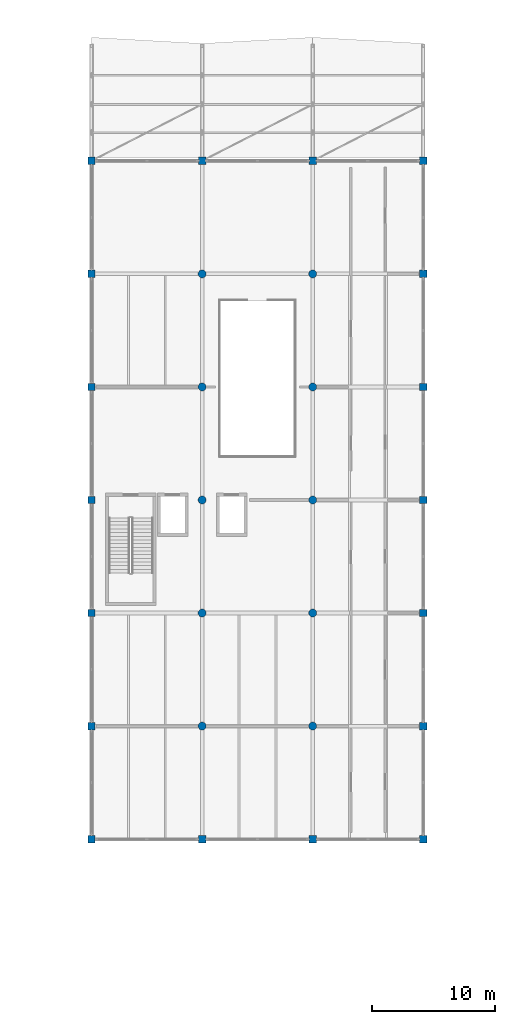
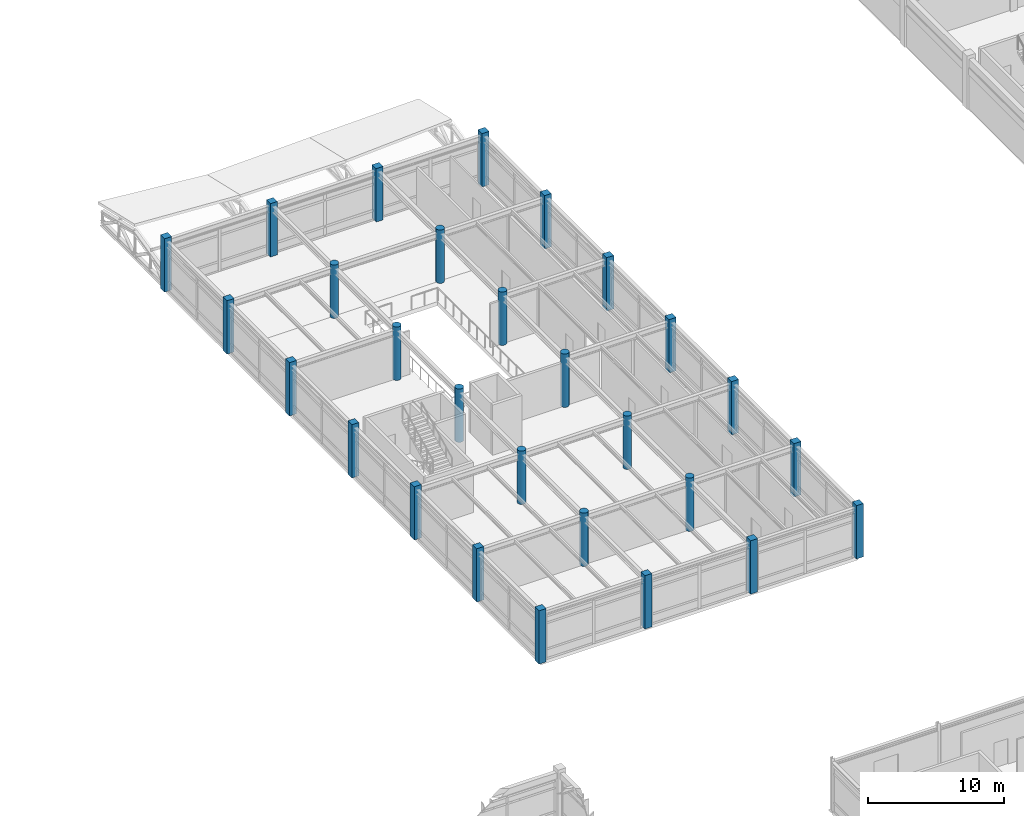
# One storey, part 6 of 61: 28 columns.
"""IFC4 building model written with IfcOpenShell, lengths in metres."""

from ifc_helpers import new_model, si_unit, direction, frame, origin, origin_2d, place, context, subcontext, project, spatial, rectangle, circle, extrude, material, material_profile, profile_set, type_object, element, save


model = new_model("IFC4")

# Units and contexts
model_context = context("Model", 3, precision=1e-05, world=origin(), true_north=direction((0.0, 1.0)))
body_context = subcontext(model_context, "Body", "Model", "MODEL_VIEW")
ifc_project = project(units=[si_unit("LENGTHUNIT", "METRE"), si_unit("AREAUNIT", "SQUARE_METRE"), si_unit("VOLUMEUNIT", "CUBIC_METRE"), si_unit("PLANEANGLEUNIT", "RADIAN"), si_unit("MASSUNIT", "GRAM", prefix="KILO")], contexts=[model_context])

# Site, building, storey
site_placement = place(None, origin())
site = spatial("IfcSite", under=ifc_project, at=site_placement, CompositionType="ELEMENT")
building_placement = place(site_placement, origin())
building = spatial("IfcBuilding", under=site, at=building_placement, Name="Bozkorgan Art Gallery", CompositionType="ELEMENT")
storey_placement = place(building_placement, frame((0.0, 0.0, 10.199951171875)))
storey = spatial("IfcBuildingStorey", under=building, at=storey_placement, Name="L02", CompositionType="ELEMENT", Elevation=10.199951171875)

# Columns
ifc_material = material(Name="Concrete C40/50", Category="concrete")
ifc_material_profile_1 = material_profile(ifc_material, circle(Radius=0.324951171875, at=origin_2d()), Name="RC D650")
ifc_profile_set_1 = profile_set([ifc_material_profile_1], Name="Concrete C40/50")
column_type_1 = type_object("IfcColumnType", Name="COLUMN-C-09", PredefinedType="COLUMN", material=ifc_profile_set_1)
for number, where, z_axis, x_axis, name in (
    (1, (83.0, 47.60009765625, 0.0), (0.0, 0.0, 1.0), (1.0, 0.0, 0.0), "V4 L02 column (83.0, 47.6)"),
    (2, (83.0, 56.800048828125, 0.0), (0.0, 0.0, 1.0), (1.0, 0.0, 0.0), "V4 L02 column (83.0, 56.8)"),
    (3, (83.0, 66.0, 0.0), (0.0, 0.0, 1.0), (1.0, 0.0, 0.0), "V4 L02 column (83.0, 66.0)"),
    (4, (83.0, 75.199951171875, 0.0), (0.0, 0.0, 1.0), (1.0, 0.0, 0.0), "V4 L02 column (83.0, 75.2)"),
    (5, (83.0, 84.39990234375, 0.0), (0.0, 0.0, 1.0), (1.0, 0.0, 0.0), "V4 L02 column (83.0, 84.4)"),
    (6, (92.0, 47.60009765625, 0.0), (0.0, 0.0, 1.0), (1.0, 0.0, 0.0), "V4 L02 column (92.0, 47.6)"),
    (7, (92.0, 56.800048828125, 0.0), (0.0, 0.0, 1.0), (1.0, 0.0, 0.0), "V4 L02 column (92.0, 56.8)"),
    (8, (92.0, 66.0, 0.0), (0.0, 0.0, 1.0), (1.0, 0.0, 0.0), "V4 L02 column (92.0, 66.0)"),
    (9, (92.0, 75.199951171875, 0.0), (0.0, 0.0, 1.0), (1.0, 0.0, 0.0), "V4 L02 column (92.0, 75.2)"),
    (10, (92.0, 84.39990234375, 0.0), (0.0, 0.0, 1.0), (1.0, 0.0, 0.0), "V4 L02 column (92.0, 84.4)"),
):
    element("IfcColumn", number, at=place(storey_placement, frame(where, z_axis=z_axis, x_axis=x_axis)), inside=storey, type_object=column_type_1, Name=name, PredefinedType="COLUMN", context=body_context, shape_type="SweptSolid", body=[
        extrude(circle(Radius=0.324951171875, at=origin_2d()), origin(), (0.0, 0.0, 1.0), 4.800048828125),
    ])
ifc_material_profile_2 = material_profile(ifc_material, rectangle(XDim=0.60009765625, YDim=0.60009765625, at=origin_2d()), Name="RC 600x600")
ifc_profile_set_2 = profile_set([ifc_material_profile_2], Name="Concrete C40/50")
column_type_2 = type_object("IfcColumnType", Name="COLUMN-C-24", PredefinedType="COLUMN", material=ifc_profile_set_2)
for number, where, z_axis, x_axis, name in (
    (11, (74.0, 38.39990234375, 0.0), (0.0, 0.0, 1.0), (1.0, 0.0, 0.0), "V4 L02 column (74.0, 38.4)"),
    (12, (74.0, 47.60009765625, 0.0), (0.0, 0.0, 1.0), (1.0, 0.0, 0.0), "V4 L02 column (74.0, 47.6)"),
    (13, (74.0, 56.800048828125, 0.0), (0.0, 0.0, 1.0), (1.0, 0.0, 0.0), "V4 L02 column (74.0, 56.8)"),
    (14, (74.0, 66.0, 0.0), (0.0, 0.0, 1.0), (1.0, 0.0, 0.0), "V4 L02 column (74.0, 66.0)"),
    (15, (74.0, 75.199951171875, 0.0), (0.0, 0.0, 1.0), (1.0, 0.0, 0.0), "V4 L02 column (74.0, 75.2)"),
    (16, (74.0, 84.39990234375, 0.0), (0.0, 0.0, 1.0), (1.0, 0.0, 0.0), "V4 L02 column (74.0, 84.4)"),
    (17, (74.0, 93.60009765625, 0.0), (0.0, 0.0, 1.0), (1.0, 0.0, 0.0), "V4 L02 column (74.0, 93.6)"),
    (18, (83.0, 38.39990234375, 0.0), (0.0, 0.0, 1.0), (1.0, 0.0, 0.0), "V4 L02 column (83.0, 38.4)"),
    (19, (83.0, 93.60009765625, 0.0), (0.0, 0.0, 1.0), (1.0, 0.0, 0.0), "V4 L02 column (83.0, 93.6)"),
    (20, (92.0, 38.39990234375, 0.0), (0.0, 0.0, 1.0), (1.0, 0.0, 0.0), "V4 L02 column (92.0, 38.4)"),
    (21, (92.0, 93.60009765625, 0.0), (0.0, 0.0, 1.0), (1.0, 0.0, 0.0), "V4 L02 column (92.0, 93.6)"),
    (22, (101.0, 38.39990234375, 0.0), (0.0, 0.0, 1.0), (1.0, 0.0, 0.0), "V4 L02 column (101.0, 38.4)"),
    (23, (101.0, 47.60009765625, 0.0), (0.0, 0.0, 1.0), (1.0, 0.0, 0.0), "V4 L02 column (101.0, 47.6)"),
    (24, (101.0, 56.800048828125, 0.0), (0.0, 0.0, 1.0), (1.0, 0.0, 0.0), "V4 L02 column (101.0, 56.8)"),
    (25, (101.0, 66.0, 0.0), (0.0, 0.0, 1.0), (1.0, 0.0, 0.0), "V4 L02 column (101.0, 66.0)"),
    (26, (101.0, 75.199951171875, 0.0), (0.0, 0.0, 1.0), (1.0, 0.0, 0.0), "V4 L02 column (101.0, 75.2)"),
    (27, (101.0, 84.39990234375, 0.0), (0.0, 0.0, 1.0), (1.0, 0.0, 0.0), "V4 L02 column (101.0, 84.4)"),
    (28, (101.0, 93.60009765625, 0.0), (0.0, 0.0, 1.0), (1.0, 0.0, 0.0), "V4 L02 column (101.0, 93.6)"),
):
    element("IfcColumn", number, at=place(storey_placement, frame(where, z_axis=z_axis, x_axis=x_axis)), inside=storey, type_object=column_type_2, Name=name, PredefinedType="COLUMN", context=body_context, shape_type="SweptSolid", body=[
        extrude(rectangle(XDim=0.60009765625, YDim=0.60009765625, at=origin_2d()), origin(), (0.0, 0.0, 1.0), 4.800048828125),
    ])

save(model, "model.ifc")
